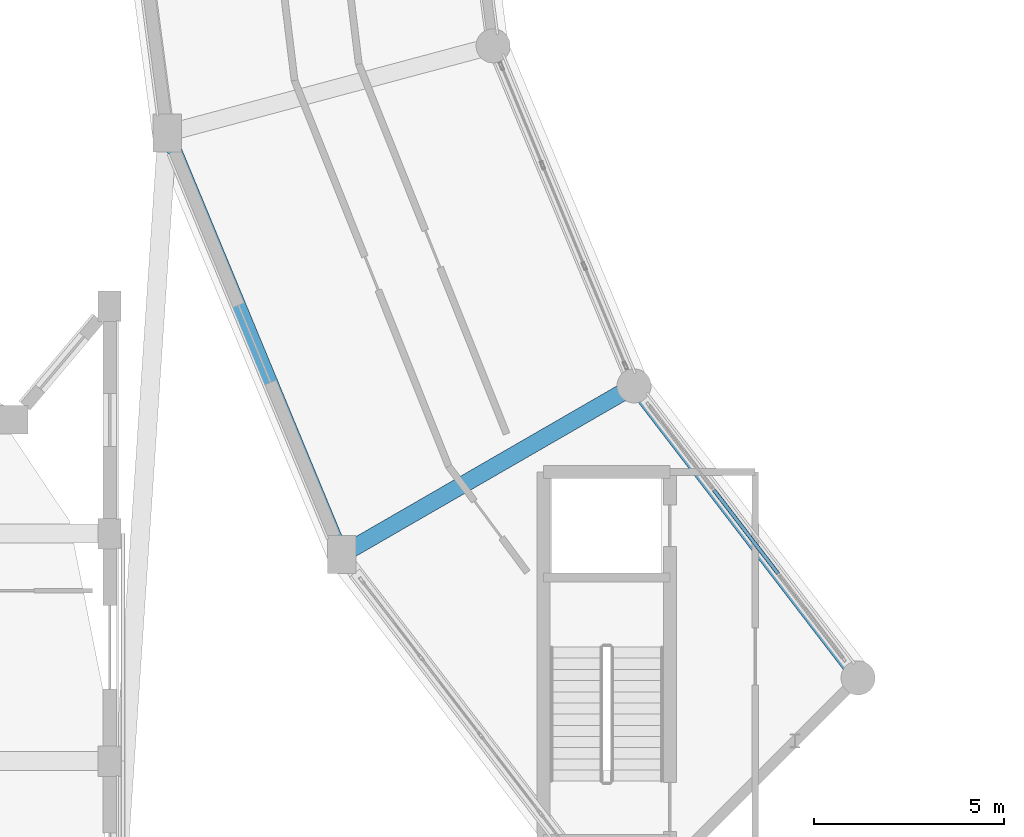
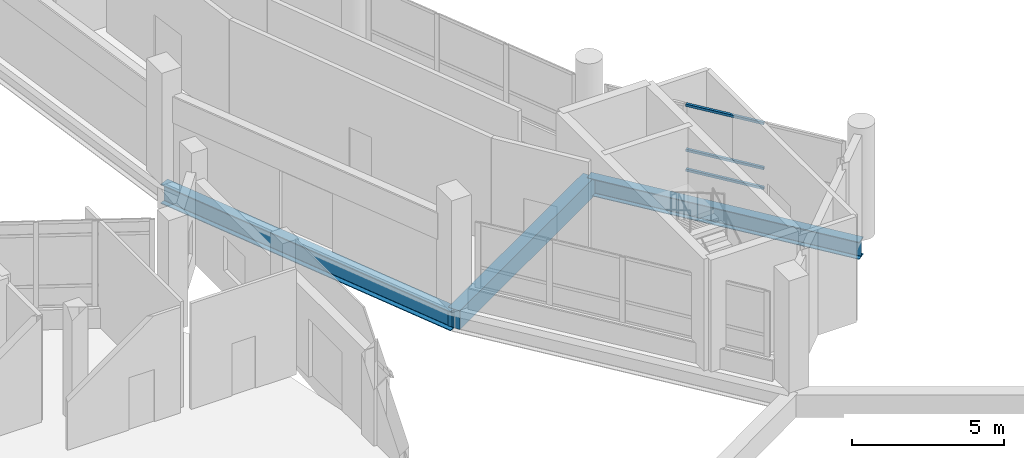
# One storey, part 29 of 129: 3 beams, 3 members, 1 element without a shape of its own.
"""IFC4 building model written with IfcOpenShell, lengths in metres."""

from ifc_helpers import new_model, si_unit, direction, frame, origin, origin_2d, place, context, subcontext, project, spatial, rectangle, hollow_rectangle, i_section, extrude, material, layer, layer_set, material_profile, profile_set, type_object, element, aggregate, save


model = new_model("IFC4")

# Units and contexts
model_context = context("Model", 3, precision=1e-05, world=origin(), true_north=direction((0.0, 1.0)))
body_context = subcontext(model_context, "Body", "Model", "MODEL_VIEW")
ifc_project = project(units=[si_unit("LENGTHUNIT", "METRE"), si_unit("AREAUNIT", "SQUARE_METRE"), si_unit("VOLUMEUNIT", "CUBIC_METRE"), si_unit("PLANEANGLEUNIT", "RADIAN"), si_unit("MASSUNIT", "GRAM", prefix="KILO")], contexts=[model_context])

# Site, building, storey
site_placement = place(None, origin())
site = spatial("IfcSite", under=ifc_project, at=site_placement, CompositionType="ELEMENT")
building_placement = place(site_placement, origin())
building = spatial("IfcBuilding", under=site, at=building_placement, Name="Vespera Passage Community Centre", CompositionType="ELEMENT")
storey_placement = place(building_placement, origin())
storey = spatial("IfcBuildingStorey", under=building, at=storey_placement, Name="L00", CompositionType="ELEMENT", Elevation=0.0)

# Beams
ifc_material_1 = material(Name="Concrete f'c 35 MPa", Category="concrete")
ifc_material_profile_1 = material_profile(ifc_material_1, rectangle(XDim=0.449951171875, YDim=0.75, at=origin_2d()), Name="RC450X750")
ifc_profile_set_1 = profile_set([ifc_material_profile_1], Name="Concrete f'c 35 MPa")
beam_type_1 = type_object("IfcBeamType", Name="BM-G-450X750", PredefinedType="BEAM", material=ifc_profile_set_1)
beam_1_placement = place(storey_placement, frame((45.783935546875, 46.89990234375, -0.655029296875), z_axis=(-0.866031643847, -0.499989191739, 0.0), x_axis=(0.499989191739, -0.866031643847, 0.0)))
element("IfcBeam", 1, at=beam_1_placement, inside=storey, type_object=beam_type_1, Name="V4 L00 Radial Girder 14", PredefinedType="BEAM", context=body_context, shape_type="SweptSolid", body=[
    extrude(rectangle(XDim=0.449951171875, YDim=0.75, at=origin_2d()), origin(), (0.0, 0.0, 1.0), 8.900146484375),
])
ifc_material_2 = material(Name="Steel ASTM A992 Grade 50", Category="steel")
ifc_material_profile_2 = material_profile(ifc_material_2, i_section(OverallWidth=0.3544921875, OverallDepth=0.695556640625, WebThickness=0.015380859375, FlangeThickness=0.024658203125, FilletRadius=0.01513671875, at=origin_2d()), Name="W27X146")
ifc_profile_set_2 = profile_set([ifc_material_profile_2], Name="Steel ASTM A992 Grade 50")
beam_type_2 = type_object("IfcBeamType", Name="BM-SP-W27X146E", PredefinedType="SPANDREL", material=ifc_profile_set_2)
beam_2_placement = place(storey_placement, frame((45.783935546875, 46.89990234375, -0.627685546875), z_axis=(0.60875291963, -0.793359869694, 0.0), x_axis=(0.793359869694, 0.60875291963, 0.0)))
element("IfcBeam", 2, at=beam_2_placement, inside=storey, type_object=beam_type_2, Name="V4 L00 Inner Spandrel 14", PredefinedType="SPANDREL", context=body_context, shape_type="SweptSolid", body=[
    extrude(i_section(OverallWidth=0.3544921875, OverallDepth=0.695556640625, WebThickness=0.015380859375, FlangeThickness=0.024658203125, FilletRadius=0.01513671875, at=origin_2d()), origin(), (0.0, 0.0, 1.0), 9.7109375),
])
ifc_material_3 = material(Name="Steel ASTM A992 Grade 50", Category="steel")
ifc_material_profile_3 = material_profile(ifc_material_3, i_section(OverallWidth=0.382080078125, OverallDepth=0.779296875, WebThickness=0.01806640625, FlangeThickness=0.030029296875, FilletRadius=0.0166015625, at=origin_2d()), Name="W30X191")
ifc_profile_set_3 = profile_set([ifc_material_profile_3], Name="Steel ASTM A992 Grade 50")
beam_type_3 = type_object("IfcBeamType", Name="BM-SP-W30X191E", PredefinedType="SPANDREL", material=ifc_profile_set_3)
beam_3_placement = place(storey_placement, frame((33.470703125, 53.568359375, -0.669677734375), z_axis=(0.382688629799, -0.923877379647, 0.0), x_axis=(0.923877379647, 0.382688629799, 0.0)))
element("IfcBeam", 3, at=beam_3_placement, inside=storey, type_object=beam_type_3, Name="V4 L00 Outer Spandrel 13", PredefinedType="SPANDREL", context=body_context, shape_type="SweptSolid", body=[
    extrude(i_section(OverallWidth=0.382080078125, OverallDepth=0.779296875, WebThickness=0.01806640625, FlangeThickness=0.030029296875, FilletRadius=0.0166015625, at=origin_2d()), origin(), (0.0, 0.0, 1.0), 12.034423828125),
])

# Curtain wall, members
ifc_material_4 = material(Name="Anodized aluminium 6063-T6", Category="aluminium")
ifc_layer = layer(ifc_material_4, 0.159912109375)
ifc_layer_set = layer_set([ifc_layer], Name="Anodized aluminium 6063-T6")
curtain_wall_type = type_object("IfcCurtainWallType", Name="CW-05E", PredefinedType="NOTDEFINED", material=ifc_layer_set)
curtain_wall_placement = place(storey_placement, origin())
curtain_wall = element("IfcCurtainWall", 4, at=curtain_wall_placement, inside=storey, type_object=curtain_wall_type, Name="V4 L00 Inner Court Curtain Wall 14", PredefinedType="NOTDEFINED")
ifc_material_5 = material(Name="Anodized aluminium 6063-T6", Category="aluminium")
ifc_material_profile_4 = material_profile(ifc_material_5, hollow_rectangle(XDim=0.10009765625, YDim=0.10009765625, WallThickness=0.00390625, InnerFilletRadius=0.001953125, OuterFilletRadius=0.00390625, at=origin_2d()), Name="ALU100X100X4")
ifc_profile_set_4 = profile_set([ifc_material_profile_4], Name="Anodized aluminium 6063-T6")
member_type = type_object("IfcMemberType", Name="MB-CWT-100E", PredefinedType="USERDEFINED", material=ifc_profile_set_4)
member_1_placement = place(storey_placement, frame((47.89453125, 44.149169921875, 0.8701171875), z_axis=(0.60878404001, -0.793335989748, 0.0), x_axis=(0.793335989748, 0.60878404001, 0.0)))
member_1 = element("IfcMember", 5, at=member_1_placement, type_object=member_type, Name="CW-05E transom 2.1", ObjectType="TRANSOM", PredefinedType="USERDEFINED", context=body_context, shape_type="SweptSolid", body=[
    extrude(hollow_rectangle(XDim=0.10009765625, YDim=0.10009765625, WallThickness=0.00390625, InnerFilletRadius=0.001953125, OuterFilletRadius=0.00390625, at=origin_2d()), origin(), (0.0, 0.0, 1.0), 2.776611328125),
])
member_2_placement = place(storey_placement, frame((47.89453125, 44.149169921875, 1.669921875), z_axis=(0.60878404001, -0.793335989748, 0.0), x_axis=(0.793335989748, 0.60878404001, 0.0)))
member_2 = element("IfcMember", 6, at=member_2_placement, type_object=member_type, Name="CW-05E transom 2.2", ObjectType="TRANSOM", PredefinedType="USERDEFINED", context=body_context, shape_type="SweptSolid", body=[
    extrude(hollow_rectangle(XDim=0.10009765625, YDim=0.10009765625, WallThickness=0.00390625, InnerFilletRadius=0.001953125, OuterFilletRadius=0.00390625, at=origin_2d()), origin(), (0.0, 0.0, 1.0), 2.776611328125),
])
member_3_placement = place(storey_placement, frame((47.89453125, 44.149169921875, 3.4794921875), z_axis=(0.60878404001, -0.793335989748, 0.0), x_axis=(0.793335989748, 0.60878404001, 0.0)))
member_3 = element("IfcMember", 7, at=member_3_placement, type_object=member_type, Name="CW-05E transom 2.3", ObjectType="TRANSOM", PredefinedType="USERDEFINED", context=body_context, shape_type="SweptSolid", body=[
    extrude(hollow_rectangle(XDim=0.10009765625, YDim=0.10009765625, WallThickness=0.00390625, InnerFilletRadius=0.001953125, OuterFilletRadius=0.00390625, at=origin_2d()), origin(), (0.0, 0.0, 1.0), 2.776611328125),
])
aggregate(curtain_wall, [member_1, member_2, member_3])

save(model, "model.ifc")
